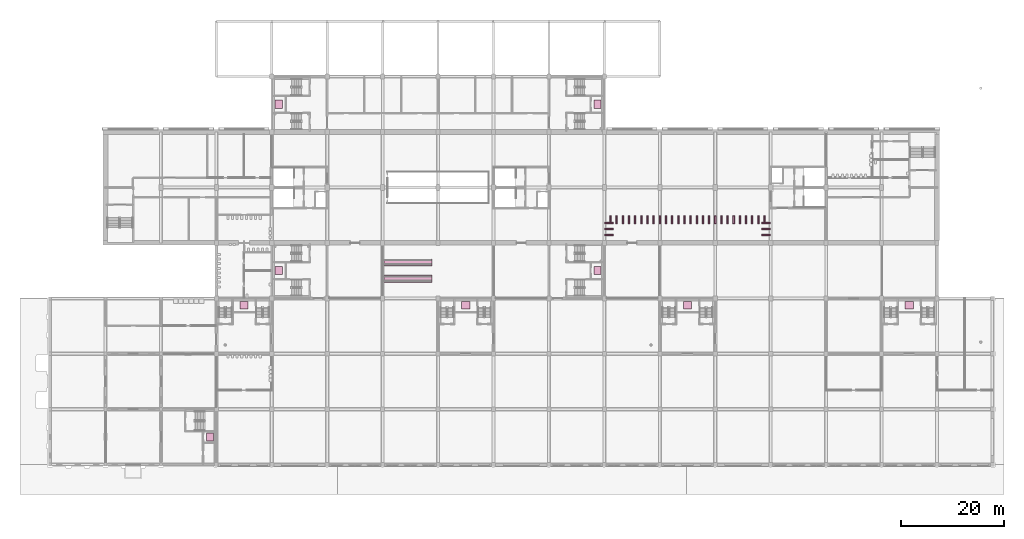
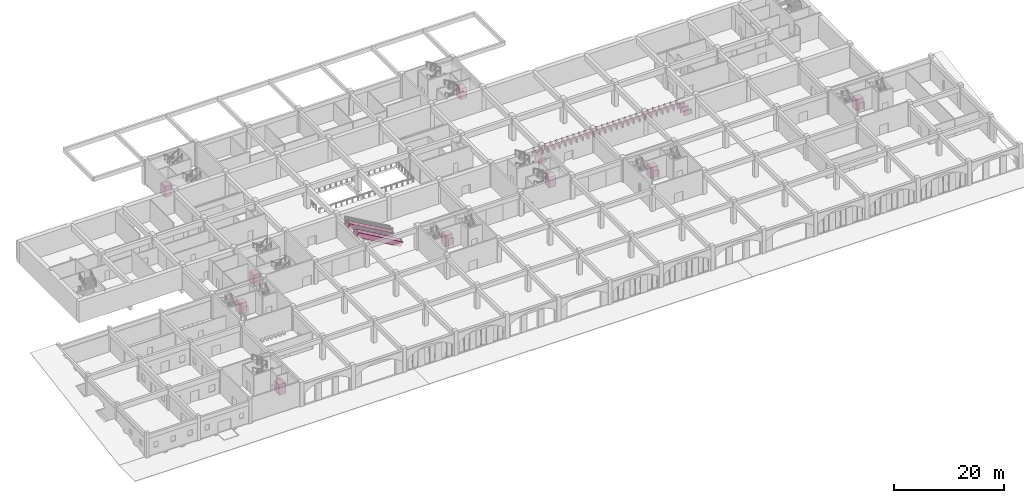
# One storey, part 101 of 101: 32 furniture elements, 11 transport elements.
"""IFC4 building model written with IfcOpenShell, lengths in metres."""

from ifc_helpers import new_model, si_unit, direction, frame, origin, origin_2d, place, context, subcontext, project, spatial, rectangle, extrude, material, material_profile, profile_set, type_object, element, save


model = new_model("IFC4")

# Units and contexts
model_context = context("Model", 3, precision=1e-05, world=origin(), true_north=direction((0.0, 1.0)))
body_context = subcontext(model_context, "Body", "Model", "MODEL_VIEW")
ifc_project = project(units=[si_unit("LENGTHUNIT", "METRE"), si_unit("AREAUNIT", "SQUARE_METRE"), si_unit("VOLUMEUNIT", "CUBIC_METRE"), si_unit("PLANEANGLEUNIT", "RADIAN"), si_unit("MASSUNIT", "GRAM", prefix="KILO")], contexts=[model_context])

# Site, building, storey
site_placement = place(None, origin())
site = spatial("IfcSite", under=ifc_project, at=site_placement, CompositionType="ELEMENT")
building_placement = place(site_placement, origin())
building = spatial("IfcBuilding", under=site, at=building_placement, Name="Magnolia Steps Interchange", CompositionType="ELEMENT")
storey_placement = place(building_placement, frame((0.0, 0.0, -5.39990234375)))
storey = spatial("IfcBuildingStorey", under=building, at=storey_placement, Name="B1", CompositionType="ELEMENT", Elevation=-5.39990234375)

# Transport elements
ifc_material_1 = material(Name="Stainless steel grade 304", Category="steel")
ifc_material_profile = material_profile(ifc_material_1, rectangle(XDim=1.39990234375, YDim=1.0, at=origin_2d()), Name="Escalator 1000")
ifc_profile_set = profile_set([ifc_material_profile], Name="Stainless steel grade 304")
transport_element_type_1 = type_object("IfcTransportElementType", Name="Escalator 1000", PredefinedType="ESCALATOR", material=ifc_profile_set)
for number, where, z_axis, x_axis, name in (
    (1, (74.800048828125, 46.199951171875, 4.949951171875), (0.866018442252, 0.0, -0.500012057535), (0.0, 1.0, 0.0), "Escalator down EV1"),
    (2, (74.800048828125, 49.39990234375, 4.949951171875), (0.866018442252, 0.0, -0.500012057535), (0.0, 1.0, 0.0), "Escalator up EV1"),
):
    element("IfcTransportElement", number, at=place(storey_placement, frame(where, z_axis=z_axis, x_axis=x_axis)), inside=storey, type_object=transport_element_type_1, Name=name, PredefinedType="ESCALATOR", context=body_context, shape_type="SweptSolid", body=[
        extrude(rectangle(XDim=1.39990234375, YDim=1.0, at=origin_2d()), origin(), (0.0, 0.0, 1.0), 10.800048828125),
    ])
ifc_material_2 = material(Name="Stainless steel grade 304", Category="steel")
transport_element_type_2 = type_object("IfcTransportElementType", Name="Passenger lift 1600x1400", PredefinedType="ELEVATOR", material=ifc_material_2)
for number, where, z_axis, x_axis, name in (
    (3, (54.550048828125, 80.199951171875, 0.0), (0.0, 0.0, 1.0), (0.0, 1.0, 0.0), "Lift LF1"),
    (4, (116.64990234375, 80.199951171875, 0.0), (0.0, 0.0, 1.0), (0.0, -1.0, 0.0), "Lift LF2"),
    (5, (54.550048828125, 47.800048828125, 0.0), (0.0, 0.0, 1.0), (0.0, 1.0, 0.0), "Lift LF3"),
    (6, (116.64990234375, 47.800048828125, 0.0), (0.0, 0.0, 1.0), (0.0, -1.0, 0.0), "Lift LF4"),
    (7, (47.800048828125, 41.050048828125, 0.0), (0.0, 0.0, 1.0), (1.0, 0.0, 0.0), "Lift LF8"),
    (8, (91.0, 41.050048828125, 0.0), (0.0, 0.0, 1.0), (1.0, 0.0, 0.0), "Lift LF9"),
    (9, (134.199951171875, 41.050048828125, 0.0), (0.0, 0.0, 1.0), (1.0, 0.0, 0.0), "Lift LF10"),
    (10, (177.39990234375, 41.050048828125, 0.0), (0.0, 0.0, 1.0), (1.0, 0.0, 0.0), "Lift LF11"),
    (11, (41.14990234375, 15.39990234375, 0.0), (0.0, 0.0, 1.0), (0.0, -1.0, 0.0), "Lift LF12"),
):
    element("IfcTransportElement", number, at=place(storey_placement, frame(where, z_axis=z_axis, x_axis=x_axis)), inside=storey, type_object=transport_element_type_2, Name=name, PredefinedType="ELEVATOR", context=body_context, shape_type="SweptSolid", body=[
        extrude(rectangle(XDim=1.60009765625, YDim=1.39990234375, at=origin_2d()), origin(), (0.0, 0.0, 1.0), 2.39990234375),
    ])

# Furniture
for number, where, z_axis, x_axis, name in (
    (12, (149.5, 57.10009765625, 0.0), (0.0, 0.0, 1.0), (0.0, -1.0, 0.0), "Fare gate 1"),
    (13, (149.5, 55.89990234375, 0.0), (0.0, 0.0, 1.0), (0.0, -1.0, 0.0), "Fare gate 2"),
    (14, (149.5, 54.699951171875, 0.0), (0.0, 0.0, 1.0), (0.0, -1.0, 0.0), "Fare gate 3"),
    (15, (118.89990234375, 54.699951171875, 0.0), (0.0, 0.0, 1.0), (0.0, 1.0, 0.0), "Fare gate 4"),
    (16, (118.89990234375, 55.89990234375, 0.0), (0.0, 0.0, 1.0), (0.0, 1.0, 0.0), "Fare gate 5"),
    (17, (118.89990234375, 57.10009765625, 0.0), (0.0, 0.0, 1.0), (0.0, 1.0, 0.0), "Fare gate 6"),
    (18, (119.199951171875, 57.699951171875, 0.0), (0.0, 0.0, 1.0), (1.0, 0.0, 0.0), "Fare gate 7"),
    (19, (120.39990234375, 57.699951171875, 0.0), (0.0, 0.0, 1.0), (1.0, 0.0, 0.0), "Fare gate 8"),
    (20, (121.60009765625, 57.699951171875, 0.0), (0.0, 0.0, 1.0), (1.0, 0.0, 0.0), "Fare gate 9"),
    (21, (122.800048828125, 57.699951171875, 0.0), (0.0, 0.0, 1.0), (1.0, 0.0, 0.0), "Fare gate 10"),
    (22, (124.0, 57.699951171875, 0.0), (0.0, 0.0, 1.0), (1.0, 0.0, 0.0), "Fare gate 11"),
    (23, (125.199951171875, 57.699951171875, 0.0), (0.0, 0.0, 1.0), (1.0, 0.0, 0.0), "Fare gate 12"),
    (24, (126.39990234375, 57.699951171875, 0.0), (0.0, 0.0, 1.0), (1.0, 0.0, 0.0), "Fare gate 13"),
    (25, (127.60009765625, 57.699951171875, 0.0), (0.0, 0.0, 1.0), (1.0, 0.0, 0.0), "Fare gate 14"),
    (26, (128.800048828125, 57.699951171875, 0.0), (0.0, 0.0, 1.0), (1.0, 0.0, 0.0), "Fare gate 15"),
    (27, (130.0, 57.699951171875, 0.0), (0.0, 0.0, 1.0), (1.0, 0.0, 0.0), "Fare gate 16"),
    (28, (131.199951171875, 57.699951171875, 0.0), (0.0, 0.0, 1.0), (1.0, 0.0, 0.0), "Fare gate 17"),
    (29, (132.39990234375, 57.699951171875, 0.0), (0.0, 0.0, 1.0), (1.0, 0.0, 0.0), "Fare gate 18"),
    (30, (133.60009765625, 57.699951171875, 0.0), (0.0, 0.0, 1.0), (1.0, 0.0, 0.0), "Fare gate 19"),
    (31, (134.800048828125, 57.699951171875, 0.0), (0.0, 0.0, 1.0), (1.0, 0.0, 0.0), "Fare gate 20"),
    (32, (136.0, 57.699951171875, 0.0), (0.0, 0.0, 1.0), (1.0, 0.0, 0.0), "Fare gate 21"),
    (33, (137.199951171875, 57.699951171875, 0.0), (0.0, 0.0, 1.0), (1.0, 0.0, 0.0), "Fare gate 22"),
    (34, (138.39990234375, 57.699951171875, 0.0), (0.0, 0.0, 1.0), (1.0, 0.0, 0.0), "Fare gate 23"),
    (35, (139.60009765625, 57.699951171875, 0.0), (0.0, 0.0, 1.0), (1.0, 0.0, 0.0), "Fare gate 24"),
    (36, (140.800048828125, 57.699951171875, 0.0), (0.0, 0.0, 1.0), (1.0, 0.0, 0.0), "Fare gate 25"),
    (37, (142.0, 57.699951171875, 0.0), (0.0, 0.0, 1.0), (1.0, 0.0, 0.0), "Fare gate 26"),
    (38, (143.199951171875, 57.699951171875, 0.0), (0.0, 0.0, 1.0), (1.0, 0.0, 0.0), "Fare gate 27"),
    (39, (144.39990234375, 57.699951171875, 0.0), (0.0, 0.0, 1.0), (1.0, 0.0, 0.0), "Fare gate 28"),
    (40, (145.60009765625, 57.699951171875, 0.0), (0.0, 0.0, 1.0), (1.0, 0.0, 0.0), "Fare gate 29"),
    (41, (146.800048828125, 57.699951171875, 0.0), (0.0, 0.0, 1.0), (1.0, 0.0, 0.0), "Fare gate 30"),
    (42, (148.0, 57.699951171875, 0.0), (0.0, 0.0, 1.0), (1.0, 0.0, 0.0), "Fare gate 31"),
    (43, (149.199951171875, 57.699951171875, 0.0), (0.0, 0.0, 1.0), (1.0, 0.0, 0.0), "Fare gate 32"),
):
    element("IfcFurniture", number, at=place(storey_placement, frame(where, z_axis=z_axis, x_axis=x_axis)), inside=storey, Name=name, PredefinedType="NOTDEFINED", context=body_context, shape_type="SweptSolid", body=[
        extrude(rectangle(XDim=0.300048828125, YDim=1.60009765625, at=origin_2d()), origin(), (0.0, 0.0, 1.0), 1.0),
    ])

save(model, "model.ifc")
